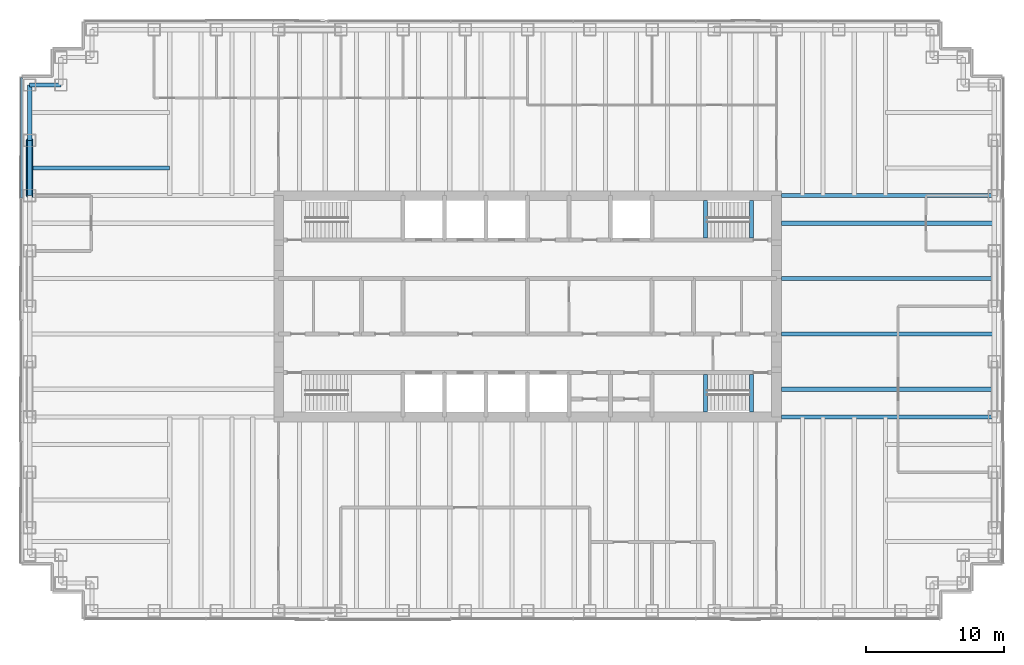
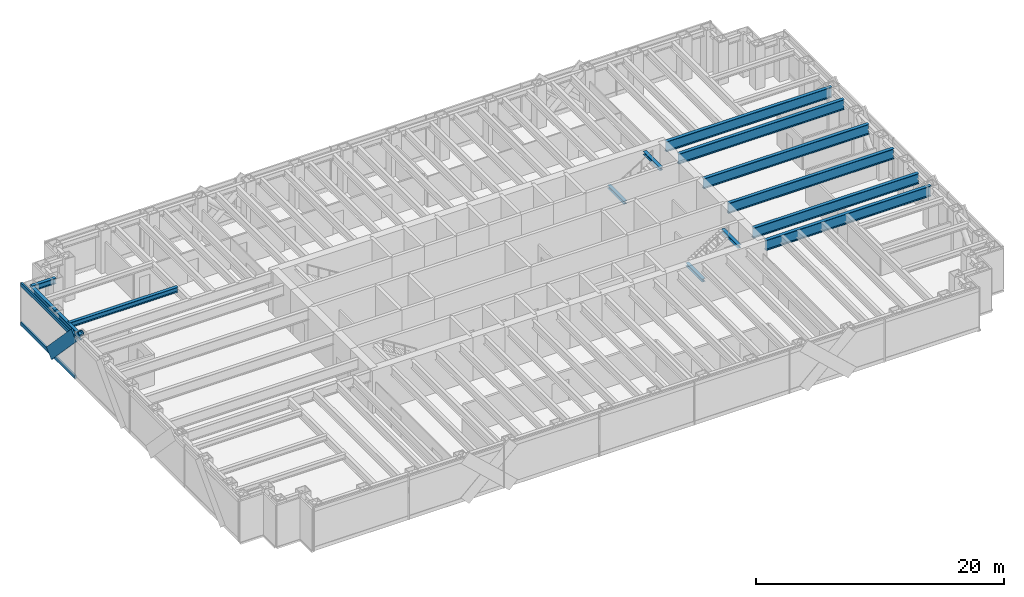
# One storey, part 5 of 17: 14 beams, 4 members, 1 element without a shape of its own.
"""IFC4 building model written with IfcOpenShell, lengths in metres."""

from ifc_helpers import new_model, si_unit, direction, frame, origin, origin_2d, place, context, subcontext, project, spatial, rectangle, hollow_circle, i_section, extrude, material, material_profile, profile_set, type_object, element, aggregate, save


model = new_model("IFC4")

# Units and contexts
model_context = context("Model", 3, precision=1e-05, world=origin(), true_north=direction((0.0, 1.0)))
body_context = subcontext(model_context, "Body", "Model", "MODEL_VIEW")
ifc_project = project(units=[si_unit("LENGTHUNIT", "METRE"), si_unit("AREAUNIT", "SQUARE_METRE"), si_unit("VOLUMEUNIT", "CUBIC_METRE"), si_unit("PLANEANGLEUNIT", "RADIAN"), si_unit("MASSUNIT", "GRAM", prefix="KILO")], contexts=[model_context])

# Site, building, storey
site_placement = place(None, origin())
site = spatial("IfcSite", under=ifc_project, at=site_placement, CompositionType="ELEMENT")
building_placement = place(site_placement, origin())
building = spatial("IfcBuilding", under=site, at=building_placement, Name="Rheinbord Bourse Tower", CompositionType="ELEMENT")
storey_placement = place(building_placement, frame((0.0, 0.0, 317.300048828125)))
storey = spatial("IfcBuildingStorey", under=building, at=storey_placement, Name="L72", CompositionType="ELEMENT", Elevation=317.300048828125)

# Curtain wall, members
ifc_material_1 = material(Name="Dark glass and black aluminium", Category="aluminium")
curtain_wall_type = type_object("IfcCurtainWallType", Name="CW3 DARK GLASS CURTAIN WALL", PredefinedType="USERDEFINED", material=ifc_material_1)
curtain_wall_placement = place(storey_placement, origin())
curtain_wall = element("IfcCurtainWall", 1, at=curtain_wall_placement, inside=storey, type_object=curtain_wall_type, Name="Curtain wall CW3 W L72", ObjectType="UNITISED CURTAIN WALL", PredefinedType="USERDEFINED")
ifc_material_2 = material(Name="Black anodised aluminium", Category="aluminium")
ifc_material_profile_1 = material_profile(ifc_material_2, rectangle(XDim=0.14990234375, YDim=1.10791015625, at=origin_2d()), Name="CW3 DIAGONAL MULLION 1108x150")
ifc_profile_set_1 = profile_set([ifc_material_profile_1], Name="Black anodised aluminium")
member_type_1 = type_object("IfcMemberType", Name="CW3 BLACK DIAGONAL MULLION", PredefinedType="USERDEFINED", material=ifc_profile_set_1)
member_1_placement = place(storey_placement, frame((-0.60009765625, 36.0, 0.0), z_axis=(0.0, -0.689659376744, 0.724133926887), x_axis=(1.0, 0.0, 0.0)))
member_1 = element("IfcMember", 2, at=member_1_placement, type_object=member_type_1, Name="CW3 diagonal mullion b", ObjectType="DIAGONAL MULLION", PredefinedType="USERDEFINED", context=body_context, shape_type="SweptSolid", body=[
    extrude(rectangle(XDim=0.14990234375, YDim=1.10791015625, at=origin_2d()), origin(), (0.0, 0.0, 1.0), 5.800048828125),
])
ifc_material_3 = material(Name="Black anodised aluminium", Category="aluminium")
ifc_material_profile_2 = material_profile(ifc_material_3, rectangle(XDim=0.14990234375, YDim=0.35009765625, at=origin_2d()), Name="CW3 TRANSOM 350x150")
ifc_profile_set_2 = profile_set([ifc_material_profile_2], Name="Black anodised aluminium")
member_type_2 = type_object("IfcMemberType", Name="CW3 BLACK TRANSOM", PredefinedType="USERDEFINED", material=ifc_profile_set_2)
member_2_placement = place(storey_placement, frame((-0.60009765625, 40.534912109375, 0.175048828125), z_axis=(0.0, -1.0, 0.0), x_axis=(1.0, 0.0, 0.0)))
member_2 = element("IfcMember", 3, at=member_2_placement, type_object=member_type_2, Name="CW3 transom 1.1", ObjectType="TRANSOM", PredefinedType="USERDEFINED", context=body_context, shape_type="SweptSolid", body=[
    extrude(rectangle(XDim=0.14990234375, YDim=0.35009765625, at=origin_2d()), origin(), (0.0, 0.0, 1.0), 8.702392578125),
])
member_3_placement = place(storey_placement, frame((-0.60009765625, 40.534912109375, 4.02490234375), z_axis=(0.0, -1.0, 0.0), x_axis=(1.0, 0.0, 0.0)))
member_3 = element("IfcMember", 4, at=member_3_placement, type_object=member_type_2, Name="CW3 transom 1.2", ObjectType="TRANSOM", PredefinedType="USERDEFINED", context=body_context, shape_type="SweptSolid", body=[
    extrude(rectangle(XDim=0.14990234375, YDim=0.35009765625, at=origin_2d()), origin(), (0.0, 0.0, 1.0), 8.702392578125),
])
aggregate(curtain_wall, [member_2, member_3, member_1])

# Beams
ifc_material_4 = material(Name="Steel S460", Category="steel")
ifc_material_profile_3 = material_profile(ifc_material_4, i_section(OverallWidth=0.302001953125, OverallDepth=1.008056640625, WebThickness=0.02099609375, FlangeThickness=0.0400390625, at=origin_2d()), Name="HEM 1000")
ifc_profile_set_3 = profile_set([ifc_material_profile_3], Name="Steel S460")
beam_type_1 = type_object("IfcBeamType", Name="END BEAM HEM 1000", PredefinedType="BEAM", material=ifc_profile_set_3)
for number, where, z_axis, x_axis, name in (
    (5, (54.35009765625, 18.0, 3.535888671875), (1.0, 0.0, 0.0), (0.0, 1.0, 0.0), "End beam east 18 L73"),
    (6, (54.35009765625, 22.0, 3.535888671875), (1.0, 0.0, 0.0), (0.0, 1.0, 0.0), "End beam east 22 L73"),
    (7, (54.35009765625, 26.0, 3.535888671875), (1.0, 0.0, 0.0), (0.0, 1.0, 0.0), "End beam east 26 L73"),
    (8, (54.35009765625, 30.0, 3.535888671875), (1.0, 0.0, 0.0), (0.0, 1.0, 0.0), "End beam east 30 L73"),
):
    element("IfcBeam", number, at=place(storey_placement, frame(where, z_axis=z_axis, x_axis=x_axis)), inside=storey, type_object=beam_type_1, Name=name, PredefinedType="BEAM", context=body_context, shape_type="SweptSolid", body=[
        extrude(i_section(OverallWidth=0.302001953125, OverallDepth=1.008056640625, WebThickness=0.02099609375, FlangeThickness=0.0400390625, at=origin_2d()), origin(), (0.0, 0.0, 1.0), 15.39990234375),
    ])
ifc_material_5 = material(Name="Steel S460", Category="steel")
ifc_material_profile_4 = material_profile(ifc_material_5, i_section(OverallWidth=0.302001953125, OverallDepth=1.008056640625, WebThickness=0.02099609375, FlangeThickness=0.0400390625, at=origin_2d()), Name="HEM 1000")
ifc_profile_set_4 = profile_set([ifc_material_profile_4], Name="Steel S460")
beam_type_2 = type_object("IfcBeamType", Name="GIRDER HEM 1000", PredefinedType="BEAM", material=ifc_profile_set_4)
for number, where, z_axis, x_axis, name in (
    (9, (54.35009765625, 16.0, 3.535888671875), (1.0, 0.0, 0.0), (0.0, 1.0, 0.0), "Girder east 16 L73"),
    (10, (54.35009765625, 32.0, 3.535888671875), (1.0, 0.0, 0.0), (0.0, 1.0, 0.0), "Girder east 32 L73"),
):
    element("IfcBeam", number, at=place(storey_placement, frame(where, z_axis=z_axis, x_axis=x_axis)), inside=storey, type_object=beam_type_2, Name=name, PredefinedType="BEAM", context=body_context, shape_type="SweptSolid", body=[
        extrude(i_section(OverallWidth=0.302001953125, OverallDepth=1.008056640625, WebThickness=0.02099609375, FlangeThickness=0.0400390625, at=origin_2d()), origin(), (0.0, 0.0, 1.0), 15.39990234375),
    ])
ifc_material_6 = material(Name="Steel S460", Category="steel")
ifc_material_profile_5 = material_profile(ifc_material_6, i_section(OverallWidth=0.300048828125, OverallDepth=0.300048828125, WebThickness=0.010986328125, FlangeThickness=0.01904296875, at=origin_2d()), Name="HEB 300")
ifc_profile_set_5 = profile_set([ifc_material_profile_5], Name="Steel S460")
beam_type_3 = type_object("IfcBeamType", Name="LANDING TRIMMER HEB 300", PredefinedType="BEAM", material=ifc_profile_set_5)
for number, where, z_axis, x_axis, name in (
    (11, (48.8701171875, 16.35009765625, 1.75), (0.0, 1.0, 0.0), (-1.0, 0.0, 0.0), "Landing trimmer ST3 L72"),
    (12, (52.199951171875, 16.35009765625, 3.889892578125), (0.0, 1.0, 0.0), (-1.0, 0.0, 0.0), "Well trimmer ST3 under L73"),
    (13, (48.8701171875, 28.949951171875, 1.75), (0.0, 1.0, 0.0), (-1.0, 0.0, 0.0), "Landing trimmer ST4 L72"),
    (14, (52.199951171875, 28.949951171875, 3.889892578125), (0.0, 1.0, 0.0), (-1.0, 0.0, 0.0), "Well trimmer ST4 under L73"),
):
    element("IfcBeam", number, at=place(storey_placement, frame(where, z_axis=z_axis, x_axis=x_axis)), inside=storey, type_object=beam_type_3, Name=name, PredefinedType="BEAM", context=body_context, shape_type="SweptSolid", body=[
        extrude(i_section(OverallWidth=0.300048828125, OverallDepth=0.300048828125, WebThickness=0.010986328125, FlangeThickness=0.01904296875, at=origin_2d()), origin(), (0.0, 0.0, 1.0), 2.699951171875),
    ])

# Member
ifc_material_7 = material(Name="Steel S460", Category="steel")
ifc_material_profile_6 = material_profile(ifc_material_7, hollow_circle(Radius=0.25390625, WallThickness=0.030029296875, at=origin_2d()), Name="CHS 508x30")
ifc_profile_set_6 = profile_set([ifc_material_profile_6], Name="Steel S460")
member_type_3 = type_object("IfcMemberType", Name="MEGABRACE CHS 508x30", PredefinedType="BRACE", material=ifc_profile_set_6)
member_4_placement = place(storey_placement, frame((0.0, 36.0, 0.0), z_axis=(0.0, -0.689659376744, 0.724133926887), x_axis=(1.0, 0.0, 0.0)))
element("IfcMember", 15, at=member_4_placement, inside=storey, type_object=member_type_3, Name="Megabrace W face line b L72", PredefinedType="BRACE", context=body_context, shape_type="SweptSolid", body=[
    extrude(hollow_circle(Radius=0.25390625, WallThickness=0.030029296875, at=origin_2d()), origin(), (0.0, 0.0, 1.0), 5.800048828125),
])

# Beams
ifc_material_8 = material(Name="Steel S460", Category="steel")
ifc_material_profile_7 = material_profile(ifc_material_8, i_section(OverallWidth=0.300048828125, OverallDepth=0.550048828125, WebThickness=0.014892578125, FlangeThickness=0.029052734375, at=origin_2d()), Name="HEB 550")
ifc_profile_set_7 = profile_set([ifc_material_profile_7], Name="Steel S460")
beam_type_4 = type_object("IfcBeamType", Name="SPANDREL HEB 550", PredefinedType="SPANDREL", material=ifc_profile_set_7)
beam_1_placement = place(storey_placement, frame((2.25, 40.0, 3.764892578125), z_axis=(-1.0, 0.0, 0.0), x_axis=(0.0, -1.0, 0.0)))
element("IfcBeam", 16, at=beam_1_placement, inside=storey, type_object=beam_type_4, Name="Spandrel NW-B-NW-A under L73", PredefinedType="SPANDREL", context=body_context, shape_type="SweptSolid", body=[
    extrude(i_section(OverallWidth=0.300048828125, OverallDepth=0.550048828125, WebThickness=0.014892578125, FlangeThickness=0.029052734375, at=origin_2d()), origin(), (0.0, 0.0, 1.0), 2.25),
])
for number, where, z_axis, x_axis, name in (
    (17, (0.0, 40.0, 3.764892578125), (0.0, -1.0, 0.0), (1.0, 0.0, 0.0), "Spandrel NW-A-W-36 under L73"),
    (18, (0.0, 36.0, 3.764892578125), (0.0, -1.0, 0.0), (1.0, 0.0, 0.0), "Spandrel W-36-W-32 under L73"),
):
    element("IfcBeam", number, at=place(storey_placement, frame(where, z_axis=z_axis, x_axis=x_axis)), inside=storey, type_object=beam_type_4, Name=name, PredefinedType="SPANDREL", context=body_context, shape_type="SweptSolid", body=[
        extrude(i_section(OverallWidth=0.300048828125, OverallDepth=0.550048828125, WebThickness=0.014892578125, FlangeThickness=0.029052734375, at=origin_2d()), origin(), (0.0, 0.0, 1.0), 4.0),
    ])
ifc_material_9 = material(Name="Steel S460", Category="steel")
ifc_material_profile_8 = material_profile(ifc_material_9, i_section(OverallWidth=0.300048828125, OverallDepth=0.5, WebThickness=0.014404296875, FlangeThickness=0.028076171875, at=origin_2d()), Name="HEB 500")
ifc_profile_set_8 = profile_set([ifc_material_profile_8], Name="Steel S460")
beam_type_5 = type_object("IfcBeamType", Name="TIE BEAM HEB 500", PredefinedType="JOIST", material=ifc_profile_set_8)
beam_2_placement = place(storey_placement, frame((0.0, 34.0, 3.7900390625), z_axis=(1.0, 0.0, 0.0), x_axis=(0.0, 1.0, 0.0)))
element("IfcBeam", 19, at=beam_2_placement, inside=storey, type_object=beam_type_5, Name="Tie west 34 L73", PredefinedType="JOIST", context=body_context, shape_type="SweptSolid", body=[
    extrude(i_section(OverallWidth=0.300048828125, OverallDepth=0.5, WebThickness=0.014404296875, FlangeThickness=0.028076171875, at=origin_2d()), origin(), (0.0, 0.0, 1.0), 10.125),
])

save(model, "model.ifc")
